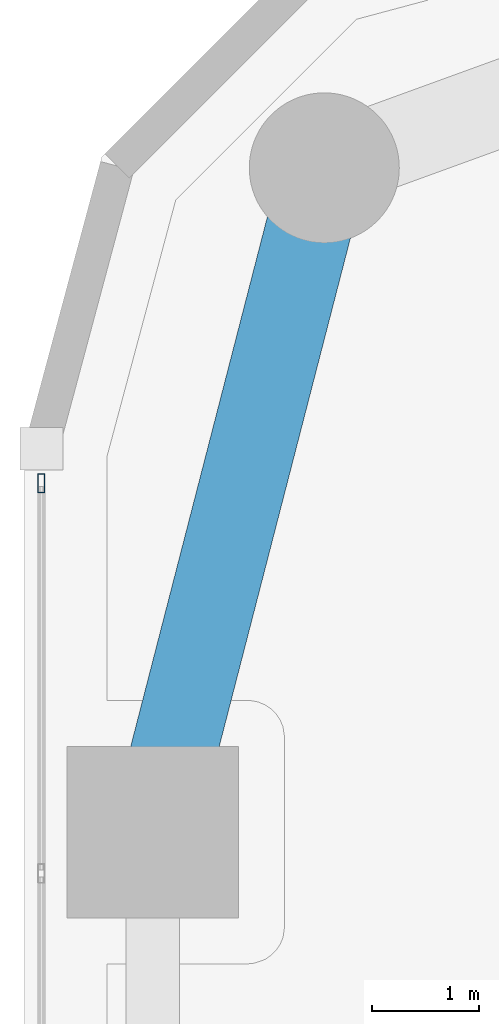
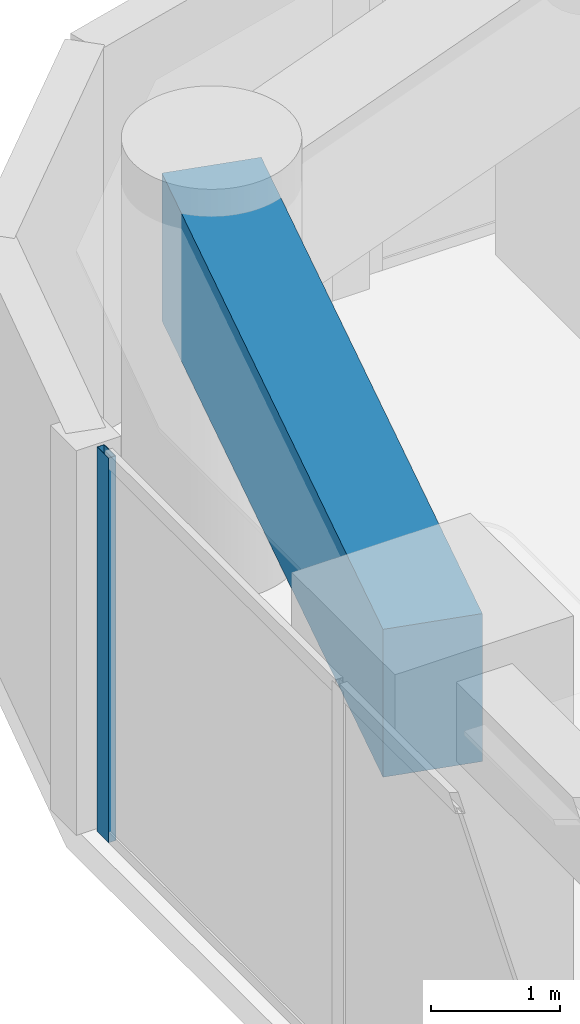
# One storey, part 14 of 28: 1 beam, 1 member, 1 element without a shape of its own.
"""IFC4 building model written with IfcOpenShell, lengths in metres."""

import ifcopenshell
import ifcopenshell.guid

model = None  # the IFC model being written
_history = None  # IfcOwnerHistory: only IFC2X3 demands one
_inside = {}  # id of a spatial element -> (the spatial element, [elements in it])
_under = {}  # id of a project, library or spatial element -> (it, [spatial elements below it])
_declared = {}  # id of a project -> (the project, [libraries it declares])
_typed = {}  # id of a type object -> (the type object, [elements of that type])
_made_of = {}  # id of a material, layer set ... -> (it, [elements and type objects made of it])


def new_model(schema):
    """Start an empty IFC model of exactly this schema.

    Asked for "IFC4X3", IfcOpenShell would pick the latest addendum, in which some entities
    have other attributes; the version numbers below select the first issue.
    IFC2X3 requires an IfcOwnerHistory on every rooted entity: one is made here for all.
    """
    global model, _history
    if schema == "IFC4X3":
        model = ifcopenshell.file(schema_version=(4, 3, 0, 0))
    else:
        model = ifcopenshell.file(schema=schema)
    _inside.clear()
    _under.clear()
    _declared.clear()
    _typed.clear()
    _made_of.clear()
    _history = None
    if model.schema == "IFC2X3":
        org = make("IfcOrganization", Name="unknown")
        user = make(
            "IfcPersonAndOrganization",
            ThePerson=make("IfcPerson", FamilyName="unknown"),
            TheOrganization=org,
        )
        app = make(
            "IfcApplication",
            ApplicationDeveloper=org,
            Version="unknown",
            ApplicationFullName="unknown",
            ApplicationIdentifier="unknown",
        )
        _history = make(
            "IfcOwnerHistory",
            OwningUser=user,
            OwningApplication=app,
            ChangeAction="ADDED",
            CreationDate=0,
        )
    return model


def make(cls, **values):
    """One entity of the class cls with the attributes given. An attribute that is None is left unset."""
    return model.create_entity(
        cls, **{name: value for name, value in values.items() if value is not None}
    )


def rooted(cls, **values):
    """An entity with a GlobalId (a new one), such as an element, a storey or a relation."""
    return make(cls, GlobalId=ifcopenshell.guid.new(), OwnerHistory=_history, **values)


def si_unit(unit_type, name, prefix=None):
    """IfcSIUnit, for example si_unit("LENGTHUNIT", "METRE", prefix="MILLI")."""
    return make("IfcSIUnit", UnitType=unit_type, Prefix=prefix, Name=name)


def assignment(units):
    """IfcUnitAssignment: the units of a project."""
    return None if units is None else make("IfcUnitAssignment", Units=units)


def point(xyz):
    """IfcCartesianPoint."""
    return None if xyz is None else make("IfcCartesianPoint", Coordinates=xyz)


def direction(xyz):
    """IfcDirection."""
    return None if xyz is None else make("IfcDirection", DirectionRatios=xyz)


def frame(location, z_axis=None, x_axis=None):
    """IfcAxis2Placement3D, a coordinate frame: its origin and axes. An axis left out is left unset."""
    return make(
        "IfcAxis2Placement3D",
        Location=point(location),
        Axis=direction(z_axis),
        RefDirection=direction(x_axis),
    )


def frame_2d(location, x_axis=None):
    """IfcAxis2Placement2D, a coordinate frame in the plane: its origin and x axis."""
    return make(
        "IfcAxis2Placement2D", Location=point(location), RefDirection=direction(x_axis)
    )


def origin():
    """The frame at (0, 0, 0) with its axes left unset."""
    return frame((0.0, 0.0, 0.0))


def origin_2d():
    """The frame at (0, 0) in the plane with its x axis left unset."""
    return frame_2d((0.0, 0.0))


def place(relative_to, where):
    """IfcLocalPlacement: puts the frame where relative to a parent placement (None: the world)."""
    return make(
        "IfcLocalPlacement", PlacementRelTo=relative_to, RelativePlacement=where
    )


def context(
    kind, dimensions, precision=None, world=None, true_north=None, identifier=None
):
    """IfcGeometricRepresentationContext, for example the 3D "Model" context."""
    return make(
        "IfcGeometricRepresentationContext",
        ContextIdentifier=identifier,
        ContextType=kind,
        CoordinateSpaceDimension=dimensions,
        Precision=precision,
        WorldCoordinateSystem=world,
        TrueNorth=true_north,
    )


def subcontext(parent, identifier, kind, view, scale=None):
    """IfcGeometricRepresentationSubContext, for example "Body" below "Model"."""
    return make(
        "IfcGeometricRepresentationSubContext",
        ContextIdentifier=identifier,
        ContextType=kind,
        ParentContext=parent,
        TargetScale=scale,
        TargetView=view,
    )


def project(units=None, contexts=None):
    """IfcProject with its units and contexts."""
    return rooted(
        "IfcProject",
        Name="project",
        RepresentationContexts=contexts,
        UnitsInContext=assignment(units),
    )


def spatial(cls, under=None, at=None, **own):
    """A site, building, storey or space (cls), placed at a placement, below another one or the project."""
    s = rooted(cls, ObjectPlacement=at, **own)
    if under is not None:
        _under.setdefault(under.id(), (under, []))[1].append(s)
    return s


def profile(cls, at=None, kind="AREA", **sizes):
    """A parametric profile (cls). Its sizes go by their IFC names, for example OverallWidth=200.0."""
    return make(cls, ProfileType=kind, Position=at, **sizes)


def rectangle(**sizes):
    """IfcRectangleProfileDef."""
    return profile("IfcRectangleProfileDef", **sizes)


def hollow_rectangle(**sizes):
    """IfcRectangleHollowProfileDef."""
    return profile("IfcRectangleHollowProfileDef", **sizes)


def extrude(swept, where, along, depth):
    """IfcExtrudedAreaSolid: the profile swept, set in the frame where, extruded along a direction by depth."""
    return make(
        "IfcExtrudedAreaSolid",
        SweptArea=swept,
        Position=where,
        ExtrudedDirection=direction(along),
        Depth=depth,
    )


def shape(context_of_items, identifier, shape_type, items):
    """IfcShapeRepresentation: the items that make up one representation, for example the "Body"."""
    return make(
        "IfcShapeRepresentation",
        ContextOfItems=context_of_items,
        RepresentationIdentifier=identifier,
        RepresentationType=shape_type,
        Items=items,
    )


def material(Name=None, Category=None):
    """IfcMaterial."""
    return make("IfcMaterial", Name=Name, Category=Category)


def layer(
    of_material, thickness, ventilated=None, Name=None, Category=None, Priority=None
):
    """IfcMaterialLayer: one layer of a wall or slab, of a material (None: an air gap)."""
    return make(
        "IfcMaterialLayer",
        Material=of_material,
        LayerThickness=thickness,
        IsVentilated=ventilated,
        Name=Name,
        Category=Category,
        Priority=Priority,
    )


def layer_set(layers, Name=None):
    """IfcMaterialLayerSet."""
    return make("IfcMaterialLayerSet", MaterialLayers=layers, LayerSetName=Name)


def material_profile(
    of_material, cross_section, Name=None, Category=None, Priority=None
):
    """IfcMaterialProfile: a cross section and its material."""
    return make(
        "IfcMaterialProfile",
        Name=Name,
        Material=of_material,
        Profile=cross_section,
        Priority=Priority,
        Category=Category,
    )


def profile_set(profiles, Name=None, composite=None):
    """IfcMaterialProfileSet."""
    return make(
        "IfcMaterialProfileSet",
        Name=Name,
        MaterialProfiles=profiles,
        CompositeProfile=composite,
    )


def made_of(thing, what):
    """Note that an element or type object is made of a material, layer set ...; save() writes the relation."""
    if what is not None:
        _made_of.setdefault(what.id(), (what, []))[1].append(thing)
    return thing


def type_object(cls, material=None, **own):
    """A type object (cls), such as IfcWallType, which elements share."""
    return made_of(rooted(cls, **own), material)


def element(
    cls,
    number,
    at=None,
    inside=None,
    cuts=None,
    type_object=None,
    material=None,
    context=None,
    identifier="Body",
    shape_type=None,
    held_by="IfcProductDefinitionShape",
    body=None,
    shapes=None,
    **own,
):
    """One element of the class cls, such as IfcWall. Its Tag is "e" and its number.

    at: its placement. inside: the storey or other place that contains it. cuts: it is an
    opening in that element (IfcRelVoidsElement). A single representation is given by context,
    identifier, shape_type and body (its items); several are given by shapes. held_by: the class
    of the entity that holds the representations. save() writes the other relations.
    """
    e = rooted(cls, Tag="e%d" % number, ObjectPlacement=at, **own)
    if body is not None:
        shapes = [shape(context, identifier, shape_type, body)]
    if shapes is not None:
        e.Representation = make(held_by, Representations=shapes)
    if inside is not None:
        _inside.setdefault(inside.id(), (inside, []))[1].append(e)
    if cuts is not None:
        rooted(
            "IfcRelVoidsElement", RelatingBuildingElement=cuts, RelatedOpeningElement=e
        )
    if type_object is not None:
        _typed.setdefault(type_object.id(), (type_object, []))[1].append(e)
    return made_of(e, material)


def aggregate(whole, parts):
    """IfcRelAggregates: a whole, such as a stair, and the parts it consists of."""
    return rooted("IfcRelAggregates", RelatingObject=whole, RelatedObjects=parts)


def save(model, path):
    """Write the relations noted so far, then the file.

    IfcRelAggregates (storeys below a building ...), IfcRelContainedInSpatialStructure (elements
    in a storey), IfcRelDefinesByType, IfcRelAssociatesMaterial and IfcRelDeclares: one each for
    every whole, place, type object, material and project.
    """
    for whole, parts in _under.values():
        aggregate(whole, parts)
    for where, things in _inside.values():
        rooted(
            "IfcRelContainedInSpatialStructure",
            RelatedElements=things,
            RelatingStructure=where,
        )
    for kind, things in _typed.values():
        rooted("IfcRelDefinesByType", RelatedObjects=things, RelatingType=kind)
    for what, things in _made_of.values():
        rooted("IfcRelAssociatesMaterial", RelatedObjects=things, RelatingMaterial=what)
    for by, libraries in _declared.values():
        rooted("IfcRelDeclares", RelatingContext=by, RelatedDefinitions=libraries)
    model.write(path)


model = new_model("IFC4")

# Units and contexts
model_context = context("Model", 3, precision=1e-05, world=origin(), true_north=direction((0.0, 1.0)))
body_context = subcontext(model_context, "Body", "Model", "MODEL_VIEW")
ifc_project = project(units=[si_unit("LENGTHUNIT", "METRE"), si_unit("AREAUNIT", "SQUARE_METRE"), si_unit("VOLUMEUNIT", "CUBIC_METRE"), si_unit("PLANEANGLEUNIT", "RADIAN"), si_unit("MASSUNIT", "GRAM", prefix="KILO")], contexts=[model_context])

# Site, building, storey
site_placement = place(None, origin())
site = spatial("IfcSite", under=ifc_project, at=site_placement, CompositionType="ELEMENT")
building_placement = place(site_placement, origin())
building = spatial("IfcBuilding", under=site, at=building_placement, Name="Kiyonajd Concourse Tower", CompositionType="ELEMENT")
storey_placement = place(building_placement, frame((0.0, 0.0, 37.199951171875)))
storey = spatial("IfcBuildingStorey", under=building, at=storey_placement, Name="L10", CompositionType="ELEMENT", Elevation=37.199951171875)

# Beam
ifc_material_1 = material(Name="Concrete C60/75", Category="concrete")
ifc_material_profile_1 = material_profile(ifc_material_1, rectangle(XDim=0.800048828125, YDim=1.39990234375, at=origin_2d()), Name="RCBM-800x1400")
ifc_profile_set_1 = profile_set([ifc_material_profile_1], Name="Concrete C60/75")
beam_type = type_object("IfcBeamType", Name="BM-XFER-RC", PredefinedType="BEAM", material=ifc_profile_set_1)
beam_placement = place(storey_placement, frame((20.800048828125, 59.60009765625, 2.93994140625), z_axis=(-0.249884937687, -0.968275538221, 0.0), x_axis=(0.968275538221, -0.249884937687, 0.0)))
element("IfcBeam", 1, at=beam_placement, inside=storey, type_object=beam_type, Name="L10 Perimeter Bundled Tube Spandrel", PredefinedType="BEAM", context=body_context, shape_type="SweptSolid", body=[
    extrude(rectangle(XDim=0.800048828125, YDim=1.39990234375, at=origin_2d()), origin(), (0.0, 0.0, 1.0), 6.4033203125),
])

# Curtain wall, member
ifc_material_2 = material(Name="Thermally Broken Anodised Aluminium", Category="aluminium")
ifc_layer = layer(ifc_material_2, 0.179931640625)
ifc_layer_set = layer_set([ifc_layer], Name="Thermally Broken Anodised Aluminium")
curtain_wall_type = type_object("IfcCurtainWallType", Name="CW-SYS-02", PredefinedType="NOTDEFINED", material=ifc_layer_set)
curtain_wall_placement = place(storey_placement, origin())
curtain_wall = element("IfcCurtainWall", 2, at=curtain_wall_placement, inside=storey, type_object=curtain_wall_type, Name="L10 Unitised Curtain Wall CW2", PredefinedType="NOTDEFINED")
ifc_material_profile_2 = material_profile(ifc_material_2, hollow_rectangle(XDim=0.06494140625, YDim=0.179931640625, WallThickness=0.00390625, at=origin_2d()), Name="MULL-65x180")
ifc_profile_set_2 = profile_set([ifc_material_profile_2], Name="Thermally Broken Anodised Aluminium")
member_type = type_object("IfcMemberType", Name="MB-CW-MULL1", PredefinedType="MULLION", material=ifc_profile_set_2)
member_placement = place(storey_placement, frame((18.159912109375, 56.656494140625, 0.0), z_axis=(0.0, 0.0, 1.0), x_axis=(-1.0, 0.0, 0.0)))
member = element("IfcMember", 3, at=member_placement, type_object=member_type, Name="CW2 mullion 7", PredefinedType="MULLION", context=body_context, shape_type="SweptSolid", body=[
    extrude(hollow_rectangle(XDim=0.06494140625, YDim=0.179931640625, WallThickness=0.00390625, at=origin_2d()), origin(), (0.0, 0.0, 1.0), 3.64013671875),
])
aggregate(curtain_wall, [member])

save(model, "model.ifc")
